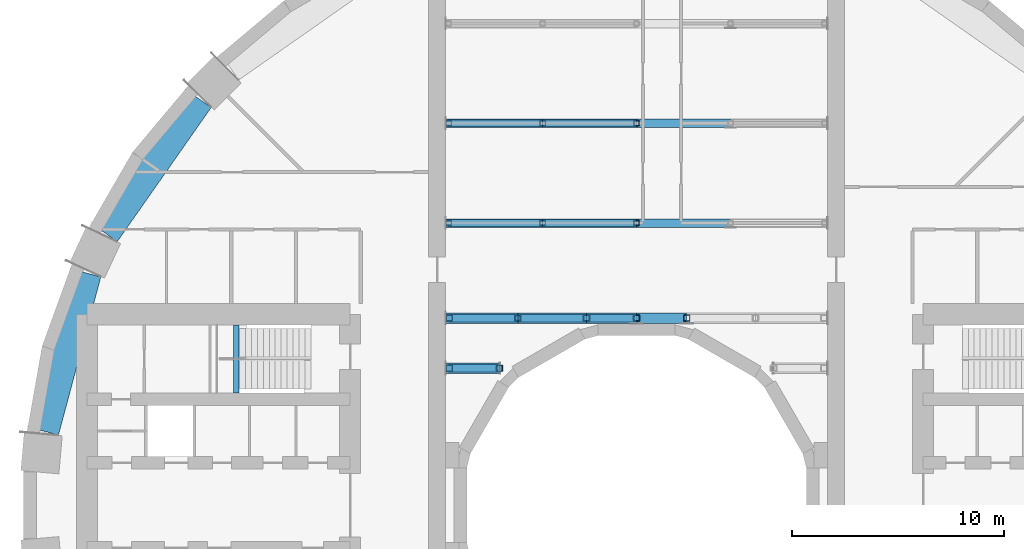
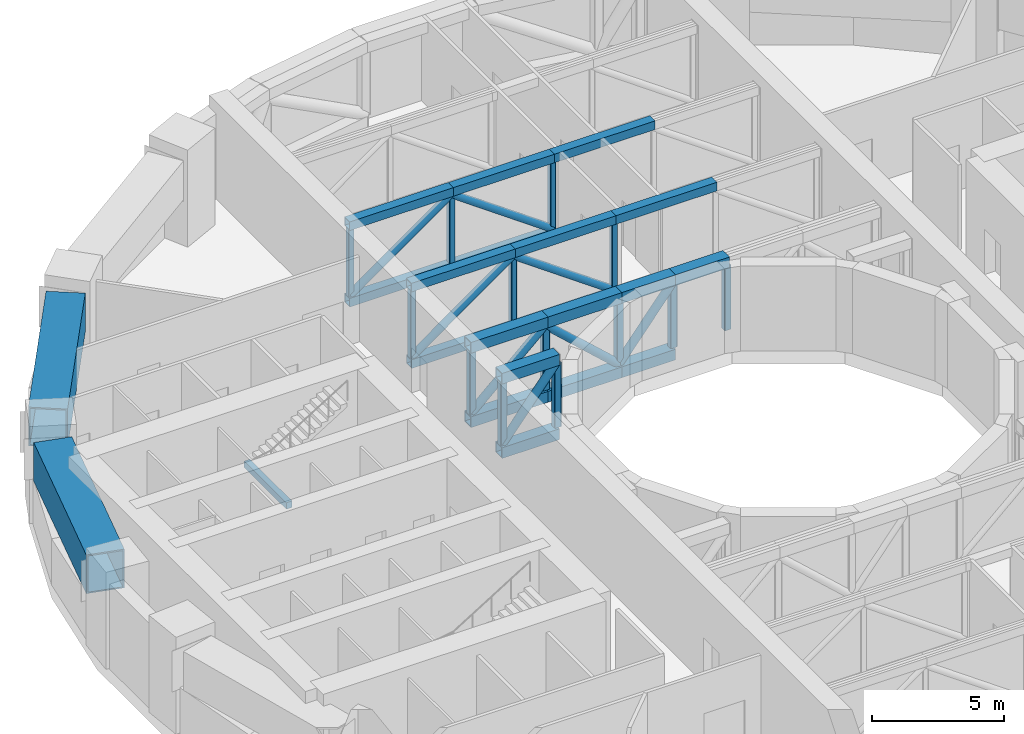
# One storey, part 5 of 21: 40 members, 3 beams.
"""IFC4 building model written with IfcOpenShell, lengths in metres."""

from ifc_helpers import new_model, si_unit, direction, frame, origin, origin_2d, place, context, subcontext, project, spatial, rectangle, hollow_rectangle, hollow_circle, extrude, material, material_profile, profile_set, type_object, element, save


model = new_model("IFC4")

# Units and contexts
model_context = context("Model", 3, precision=1e-05, world=origin(), true_north=direction((0.0, 1.0)))
body_context = subcontext(model_context, "Body", "Model", "MODEL_VIEW")
ifc_project = project(units=[si_unit("LENGTHUNIT", "METRE"), si_unit("AREAUNIT", "SQUARE_METRE"), si_unit("VOLUMEUNIT", "CUBIC_METRE"), si_unit("PLANEANGLEUNIT", "RADIAN"), si_unit("MASSUNIT", "GRAM", prefix="KILO")], contexts=[model_context])

# Site, building, storey
site_placement = place(None, origin())
site = spatial("IfcSite", under=ifc_project, at=site_placement, CompositionType="ELEMENT")
building_placement = place(site_placement, origin())
building = spatial("IfcBuilding", under=site, at=building_placement, Name="Saqina Gate Tower", CompositionType="ELEMENT")
storey_placement = place(building_placement, frame((0.0, 0.0, 21.800048828125)))
storey = spatial("IfcBuildingStorey", under=building, at=storey_placement, Name="L05", CompositionType="ELEMENT", Elevation=21.800048828125)

# Beams
ifc_material_1 = material(Name="Concrete C40/50", Category="concrete")
ifc_material_profile_1 = material_profile(ifc_material_1, rectangle(XDim=0.25, YDim=0.300048828125, at=origin_2d()), Name="STAIR LANDING BEAM")
ifc_profile_set_1 = profile_set([ifc_material_profile_1], Name="Concrete C40/50")
beam_type_1 = type_object("IfcBeamType", Name="STAIR LANDING BEAM", PredefinedType="BEAM", material=ifc_profile_set_1)
beam_placement = place(storey_placement, frame((-18.860107421875, 5.300048828125, 1.849853515625), z_axis=(0.0, 1.0, 0.0), x_axis=(-1.0, 0.0, 0.0)))
element("IfcBeam", 1, at=beam_placement, inside=storey, type_object=beam_type_1, Name="EXIT STAIR 3 LANDING BEAM", PredefinedType="BEAM", context=body_context, shape_type="SweptSolid", body=[
    extrude(rectangle(XDim=0.25, YDim=0.300048828125, at=origin_2d()), origin(), (0.0, 0.0, 1.0), 3.199951171875),
])
ifc_material_2 = material(Name="Steel S460", Category="steel")
ifc_material_profile_2 = material_profile(ifc_material_2, hollow_rectangle(XDim=1.5, YDim=1.800048828125, WallThickness=0.06005859375, at=origin_2d()), Name="BOX 1500x1800x60")
ifc_profile_set_2 = profile_set([ifc_material_profile_2], Name="Steel S460")
beam_type_2 = type_object("IfcBeamType", Name="STR-PODIUM TRANSFER GIRDER-BOX 1500x1800x60", PredefinedType="BEAM", material=ifc_profile_set_2)
for number, where, z_axis, x_axis, name in (
    (2, (-20.6591796875, 19.1767578125, 3.050048828125), (-0.573585469679, -0.81914571901, 0.0), (0.81914571901, -0.573585469679, 0.0), "PODIUM TRANSFER GIRDER 05"),
    (3, (-25.97216796875, 10.954345703125, 3.050048828125), (-0.258816195874, -0.965926589733, 0.0), (0.965926589733, -0.258816195874, 0.0), "PODIUM TRANSFER GIRDER 06"),
):
    element("IfcBeam", number, at=place(storey_placement, frame(where, z_axis=z_axis, x_axis=x_axis)), inside=storey, type_object=beam_type_2, Name=name, PredefinedType="BEAM", context=body_context, shape_type="SweptSolid", body=[
        extrude(hollow_rectangle(XDim=1.5, YDim=1.800048828125, WallThickness=0.06005859375, at=origin_2d()), origin(), (0.0, 0.0, 1.0), 7.718017578125),
    ])

# Members
ifc_material_3 = material(Name="Steel S460", Category="steel")
ifc_material_profile_3 = material_profile(ifc_material_3, hollow_rectangle(XDim=0.39990234375, YDim=0.39990234375, WallThickness=0.030029296875, at=origin_2d()), Name="BOX 400x400x30")
ifc_profile_set_3 = profile_set([ifc_material_profile_3], Name="Steel S460")
member_type_1 = type_object("IfcMemberType", Name="STR-TRANSFER TRUSS CHORD-BOX 400x400x30", PredefinedType="CHORD", material=ifc_profile_set_3)
for number, where, z_axis, x_axis, name in (
    (4, (-8.98193359375, 13.300048828125, 0.199951171875), (1.0, 0.0, 0.0), (0.0, 1.0, 0.0), "TRANSFER TRUSS CHORD 085"),
    (5, (-8.98193359375, 13.300048828125, 3.75), (1.0, 0.0, 0.0), (0.0, 1.0, 0.0), "TRANSFER TRUSS CHORD 086"),
):
    element("IfcMember", number, at=place(storey_placement, frame(where, z_axis=z_axis, x_axis=x_axis)), inside=storey, type_object=member_type_1, Name=name, PredefinedType="CHORD", context=body_context, shape_type="SweptSolid", body=[
        extrude(hollow_rectangle(XDim=0.39990234375, YDim=0.39990234375, WallThickness=0.030029296875, at=origin_2d()), origin(), (0.0, 0.0, 1.0), 4.553466796875),
    ])
for number, where, z_axis, x_axis, name in (
    (6, (-4.428466796875, 13.300048828125, 0.199951171875), (1.0, 0.0, 0.0), (0.0, 1.0, 0.0), "TRANSFER TRUSS CHORD 088"),
    (7, (-4.428466796875, 13.300048828125, 3.75), (1.0, 0.0, 0.0), (0.0, 1.0, 0.0), "TRANSFER TRUSS CHORD 089"),
    (8, (0.0, 13.300048828125, 3.75), (1.0, 0.0, 0.0), (0.0, 1.0, 0.0), "TRANSFER TRUSS CHORD 091"),
):
    element("IfcMember", number, at=place(storey_placement, frame(where, z_axis=z_axis, x_axis=x_axis)), inside=storey, type_object=member_type_1, Name=name, PredefinedType="CHORD", context=body_context, shape_type="SweptSolid", body=[
        extrude(hollow_rectangle(XDim=0.39990234375, YDim=0.39990234375, WallThickness=0.030029296875, at=origin_2d()), origin(), (0.0, 0.0, 1.0), 4.428466796875),
    ])
for number, where, z_axis, x_axis, name in (
    (9, (-8.98193359375, 18.0, 0.199951171875), (1.0, 0.0, 0.0), (0.0, 1.0, 0.0), "TRANSFER TRUSS CHORD 115"),
    (10, (-8.98193359375, 18.0, 3.75), (1.0, 0.0, 0.0), (0.0, 1.0, 0.0), "TRANSFER TRUSS CHORD 116"),
):
    element("IfcMember", number, at=place(storey_placement, frame(where, z_axis=z_axis, x_axis=x_axis)), inside=storey, type_object=member_type_1, Name=name, PredefinedType="CHORD", context=body_context, shape_type="SweptSolid", body=[
        extrude(hollow_rectangle(XDim=0.39990234375, YDim=0.39990234375, WallThickness=0.030029296875, at=origin_2d()), origin(), (0.0, 0.0, 1.0), 4.553466796875),
    ])
for number, where, z_axis, x_axis, name in (
    (11, (-4.428466796875, 18.0, 0.199951171875), (1.0, 0.0, 0.0), (0.0, 1.0, 0.0), "TRANSFER TRUSS CHORD 118"),
    (12, (-4.428466796875, 18.0, 3.75), (1.0, 0.0, 0.0), (0.0, 1.0, 0.0), "TRANSFER TRUSS CHORD 119"),
    (13, (0.0, 18.0, 3.75), (1.0, 0.0, 0.0), (0.0, 1.0, 0.0), "TRANSFER TRUSS CHORD 121"),
):
    element("IfcMember", number, at=place(storey_placement, frame(where, z_axis=z_axis, x_axis=x_axis)), inside=storey, type_object=member_type_1, Name=name, PredefinedType="CHORD", context=body_context, shape_type="SweptSolid", body=[
        extrude(hollow_rectangle(XDim=0.39990234375, YDim=0.39990234375, WallThickness=0.030029296875, at=origin_2d()), origin(), (0.0, 0.0, 1.0), 4.428466796875),
    ])
ifc_material_4 = material(Name="Steel S460", Category="steel")
ifc_material_profile_4 = material_profile(ifc_material_4, hollow_rectangle(XDim=0.5, YDim=0.5, WallThickness=0.0400390625, at=origin_2d()), Name="BOX 500x500x40")
ifc_profile_set_4 = profile_set([ifc_material_profile_4], Name="Steel S460")
member_type_2 = type_object("IfcMemberType", Name="STR-TRANSFER TRUSS CHORD-BOX 500x500x40", PredefinedType="CHORD", material=ifc_profile_set_4)
for number, where, z_axis, x_axis, name in (
    (14, (-8.98193359375, 8.821044921875, 0.25), (1.0, 0.0, 0.0), (0.0, 1.0, 0.0), "TRANSFER TRUSS CHORD 039"),
    (15, (-8.98193359375, 8.821044921875, 3.699951171875), (1.0, 0.0, 0.0), (0.0, 1.0, 0.0), "TRANSFER TRUSS CHORD 040"),
):
    element("IfcMember", number, at=place(storey_placement, frame(where, z_axis=z_axis, x_axis=x_axis)), inside=storey, type_object=member_type_2, Name=name, PredefinedType="CHORD", context=body_context, shape_type="SweptSolid", body=[
        extrude(hollow_rectangle(XDim=0.5, YDim=0.5, WallThickness=0.0400390625, at=origin_2d()), origin(), (0.0, 0.0, 1.0), 3.384033203125),
    ])
for number, where, z_axis, x_axis, name in (
    (16, (-5.597900390625, 8.821044921875, 0.25), (1.0, 0.0, 0.0), (0.0, 1.0, 0.0), "TRANSFER TRUSS CHORD 042"),
    (17, (-5.597900390625, 8.821044921875, 3.699951171875), (1.0, 0.0, 0.0), (0.0, 1.0, 0.0), "TRANSFER TRUSS CHORD 043"),
):
    element("IfcMember", number, at=place(storey_placement, frame(where, z_axis=z_axis, x_axis=x_axis)), inside=storey, type_object=member_type_2, Name=name, PredefinedType="CHORD", context=body_context, shape_type="SweptSolid", body=[
        extrude(hollow_rectangle(XDim=0.5, YDim=0.5, WallThickness=0.0400390625, at=origin_2d()), origin(), (0.0, 0.0, 1.0), 3.234375),
    ])
for number, where, z_axis, x_axis, name in (
    (18, (-2.363525390625, 8.821044921875, 0.25), (1.0, 0.0, 0.0), (0.0, 1.0, 0.0), "TRANSFER TRUSS CHORD 045"),
    (19, (-2.363525390625, 8.821044921875, 3.699951171875), (1.0, 0.0, 0.0), (0.0, 1.0, 0.0), "TRANSFER TRUSS CHORD 046"),
    (20, (0.0, 8.821044921875, 3.699951171875), (1.0, 0.0, 0.0), (0.0, 1.0, 0.0), "TRANSFER TRUSS CHORD 048"),
):
    element("IfcMember", number, at=place(storey_placement, frame(where, z_axis=z_axis, x_axis=x_axis)), inside=storey, type_object=member_type_2, Name=name, PredefinedType="CHORD", context=body_context, shape_type="SweptSolid", body=[
        extrude(hollow_rectangle(XDim=0.5, YDim=0.5, WallThickness=0.0400390625, at=origin_2d()), origin(), (0.0, 0.0, 1.0), 2.363525390625),
    ])
for number, where, z_axis, x_axis, name in (
    (21, (-8.98193359375, 6.45751953125, 0.25), (1.0, 0.0, 0.0), (0.0, 1.0, 0.0), "TRANSFER TRUSS CHORD 180"),
    (22, (-8.98193359375, 6.45751953125, 3.699951171875), (1.0, 0.0, 0.0), (0.0, 1.0, 0.0), "TRANSFER TRUSS CHORD 181"),
):
    element("IfcMember", number, at=place(storey_placement, frame(where, z_axis=z_axis, x_axis=x_axis)), inside=storey, type_object=member_type_2, Name=name, PredefinedType="CHORD", context=body_context, shape_type="SweptSolid", body=[
        extrude(hollow_rectangle(XDim=0.5, YDim=0.5, WallThickness=0.0400390625, at=origin_2d()), origin(), (0.0, 0.0, 1.0), 2.5244140625),
    ])
ifc_material_5 = material(Name="Steel S460", Category="steel")
ifc_material_profile_5 = material_profile(ifc_material_5, hollow_circle(Radius=0.161865234375, WallThickness=0.012451171875, at=origin_2d()), Name="CHS 323.9x12.5")
ifc_profile_set_5 = profile_set([ifc_material_profile_5], Name="Steel S460")
member_type_3 = type_object("IfcMemberType", Name="STR-TRANSFER TRUSS DIAGONAL-CHS 323.9x12.5", PredefinedType="BRACE", material=ifc_profile_set_5)
for number, where, z_axis, x_axis, name in (
    (23, (-8.86669921875, 13.300048828125, 0.39306640625), (0.814886313503, 0.0, 0.579620820939), (0.0, 1.0, 0.0), "TRANSFER TRUSS DIAGONAL 087"),
    (24, (-4.438232421875, 13.300048828125, 3.556884765625), (0.814886313503, 0.0, -0.579620820939), (0.0, 1.0, 0.0), "TRANSFER TRUSS DIAGONAL 090"),
    (25, (-8.86669921875, 18.0, 0.39306640625), (0.814886313503, 0.0, 0.579620820939), (0.0, 1.0, 0.0), "TRANSFER TRUSS DIAGONAL 117"),
    (26, (-4.438232421875, 18.0, 3.556884765625), (0.814886313503, 0.0, -0.579620820939), (0.0, 1.0, 0.0), "TRANSFER TRUSS DIAGONAL 120"),
):
    element("IfcMember", number, at=place(storey_placement, frame(where, z_axis=z_axis, x_axis=x_axis)), inside=storey, type_object=member_type_3, Name=name, PredefinedType="BRACE", context=body_context, shape_type="SweptSolid", body=[
        extrude(hollow_circle(Radius=0.161865234375, WallThickness=0.012451171875, at=origin_2d()), origin(), (0.0, 0.0, 1.0), 5.45849609375),
    ])
ifc_material_6 = material(Name="Steel S460", Category="steel")
ifc_material_profile_6 = material_profile(ifc_material_6, hollow_circle(Radius=0.177734375, WallThickness=0.01611328125, at=origin_2d()), Name="CHS 355.6x16")
ifc_profile_set_6 = profile_set([ifc_material_profile_6], Name="Steel S460")
member_type_4 = type_object("IfcMemberType", Name="STR-TRANSFER TRUSS DIAGONAL-CHS 355.6x16", PredefinedType="BRACE", material=ifc_profile_set_6)
for number, where, z_axis, x_axis, name in (
    (27, (-8.8408203125, 8.821044921875, 0.491943359375), (0.738837245149, 0.0, 0.673883910759), (0.0, 1.0, 0.0), "TRANSFER TRUSS DIAGONAL 041"),
    (28, (-5.606689453125, 8.821044921875, 3.4580078125), (0.738837245149, 0.0, -0.673883910759), (0.0, 1.0, 0.0), "TRANSFER TRUSS DIAGONAL 044"),
):
    element("IfcMember", number, at=place(storey_placement, frame(where, z_axis=z_axis, x_axis=x_axis)), inside=storey, type_object=member_type_4, Name=name, PredefinedType="BRACE", context=body_context, shape_type="SweptSolid", body=[
        extrude(hollow_circle(Radius=0.177734375, WallThickness=0.01611328125, at=origin_2d()), origin(), (0.0, 0.0, 1.0), 4.4013671875),
    ])
member_1_placement = place(storey_placement, frame((-2.37109375, 8.821044921875, 0.490478515625), z_axis=(0.625281860833, 0.0, 0.780398996996), x_axis=(0.0, 1.0, 0.0)))
element("IfcMember", 29, at=member_1_placement, inside=storey, type_object=member_type_4, Name="TRANSFER TRUSS DIAGONAL 047", PredefinedType="BRACE", context=body_context, shape_type="SweptSolid", body=[
    extrude(hollow_circle(Radius=0.177734375, WallThickness=0.01611328125, at=origin_2d()), origin(), (0.0, 0.0, 1.0), 3.80419921875),
])
member_2_placement = place(storey_placement, frame((-8.839599609375, 6.45751953125, 0.49072265625), z_axis=(0.627067246919, 0.0, 0.778965126204), x_axis=(0.0, 1.0, 0.0)))
element("IfcMember", 30, at=member_2_placement, inside=storey, type_object=member_type_4, Name="TRANSFER TRUSS DIAGONAL 182", PredefinedType="BRACE", context=body_context, shape_type="SweptSolid", body=[
    extrude(hollow_circle(Radius=0.177734375, WallThickness=0.01611328125, at=origin_2d()), origin(), (0.0, 0.0, 1.0), 3.810791015625),
])
ifc_material_7 = material(Name="Steel S460", Category="steel")
ifc_material_profile_7 = material_profile(ifc_material_7, hollow_rectangle(XDim=0.25, YDim=0.25, WallThickness=0.012451171875, InnerFilletRadius=0.02490234375, OuterFilletRadius=0.03759765625, at=origin_2d()), Name="SHS 250x250x12.5")
ifc_profile_set_7 = profile_set([ifc_material_profile_7], Name="Steel S460")
member_type_5 = type_object("IfcMemberType", Name="STR-TRANSFER TRUSS POST-SHS 250x250x12.5", PredefinedType="POST", material=ifc_profile_set_7)
for number, where, z_axis, x_axis, name in (
    (31, (-8.85693359375, 13.300048828125, 0.39990234375), (0.0, 0.0, 1.0), (1.0, 0.0, 0.0), "TRANSFER TRUSS POST 095"),
    (32, (-4.428466796875, 13.300048828125, 0.39990234375), (0.0, 0.0, 1.0), (1.0, 0.0, 0.0), "TRANSFER TRUSS POST 096"),
    (33, (0.0, 13.300048828125, 0.39990234375), (0.0, 0.0, 1.0), (1.0, 0.0, 0.0), "TRANSFER TRUSS POST 097"),
    (34, (-8.85693359375, 18.0, 0.39990234375), (0.0, 0.0, 1.0), (1.0, 0.0, 0.0), "TRANSFER TRUSS POST 125"),
    (35, (-4.428466796875, 18.0, 0.39990234375), (0.0, 0.0, 1.0), (1.0, 0.0, 0.0), "TRANSFER TRUSS POST 126"),
    (36, (0.0, 18.0, 0.39990234375), (0.0, 0.0, 1.0), (1.0, 0.0, 0.0), "TRANSFER TRUSS POST 127"),
):
    element("IfcMember", number, at=place(storey_placement, frame(where, z_axis=z_axis, x_axis=x_axis)), inside=storey, type_object=member_type_5, Name=name, PredefinedType="POST", context=body_context, shape_type="SweptSolid", body=[
        extrude(hollow_rectangle(XDim=0.25, YDim=0.25, WallThickness=0.012451171875, InnerFilletRadius=0.02490234375, OuterFilletRadius=0.03759765625, at=origin_2d()), origin(), (0.0, 0.0, 1.0), 3.150146484375),
    ])
ifc_material_8 = material(Name="Steel S460", Category="steel")
ifc_material_profile_8 = material_profile(ifc_material_8, hollow_rectangle(XDim=0.300048828125, YDim=0.300048828125, WallThickness=0.01611328125, InnerFilletRadius=0.031982421875, OuterFilletRadius=0.048095703125, at=origin_2d()), Name="SHS 300x300x16")
ifc_profile_set_8 = profile_set([ifc_material_profile_8], Name="Steel S460")
member_type_6 = type_object("IfcMemberType", Name="STR-TRANSFER TRUSS POST-SHS 300x300x16", PredefinedType="POST", material=ifc_profile_set_8)
for number, where, z_axis, x_axis, name in (
    (37, (-8.83203125, 8.821044921875, 0.5), (0.0, 0.0, 1.0), (1.0, 0.0, 0.0), "TRANSFER TRUSS POST 055"),
    (38, (-5.597900390625, 8.821044921875, 0.5), (0.0, 0.0, 1.0), (1.0, 0.0, 0.0), "TRANSFER TRUSS POST 056"),
    (39, (-2.363525390625, 8.821044921875, 0.5), (0.0, 0.0, 1.0), (1.0, 0.0, 0.0), "TRANSFER TRUSS POST 057"),
    (40, (0.0, 8.821044921875, 0.5), (0.0, 0.0, 1.0), (1.0, 0.0, 0.0), "TRANSFER TRUSS POST 058"),
    (41, (2.363525390625, 8.821044921875, 0.5), (0.0, 0.0, 1.0), (1.0, 0.0, 0.0), "TRANSFER TRUSS POST 059"),
    (42, (-8.83203125, 6.45751953125, 0.5), (0.0, 0.0, 1.0), (1.0, 0.0, 0.0), "TRANSFER TRUSS POST 183"),
    (43, (-6.45751953125, 6.45751953125, 0.5), (0.0, 0.0, 1.0), (1.0, 0.0, 0.0), "TRANSFER TRUSS POST 184"),
):
    element("IfcMember", number, at=place(storey_placement, frame(where, z_axis=z_axis, x_axis=x_axis)), inside=storey, type_object=member_type_6, Name=name, PredefinedType="POST", context=body_context, shape_type="SweptSolid", body=[
        extrude(hollow_rectangle(XDim=0.300048828125, YDim=0.300048828125, WallThickness=0.01611328125, InnerFilletRadius=0.031982421875, OuterFilletRadius=0.048095703125, at=origin_2d()), origin(), (0.0, 0.0, 1.0), 2.949951171875),
    ])

save(model, "model.ifc")
